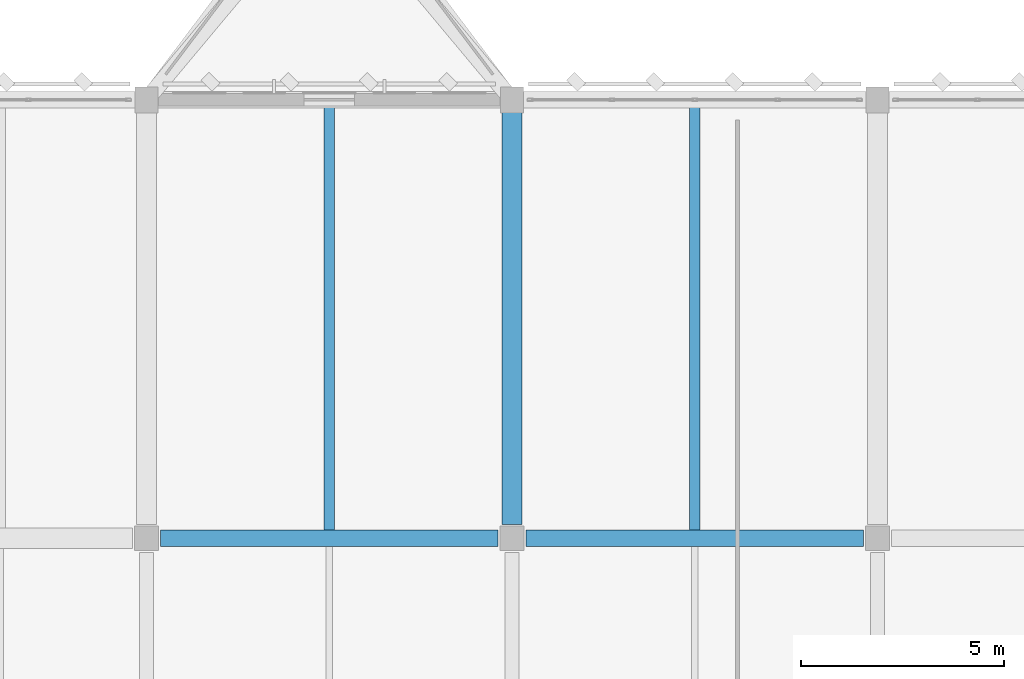
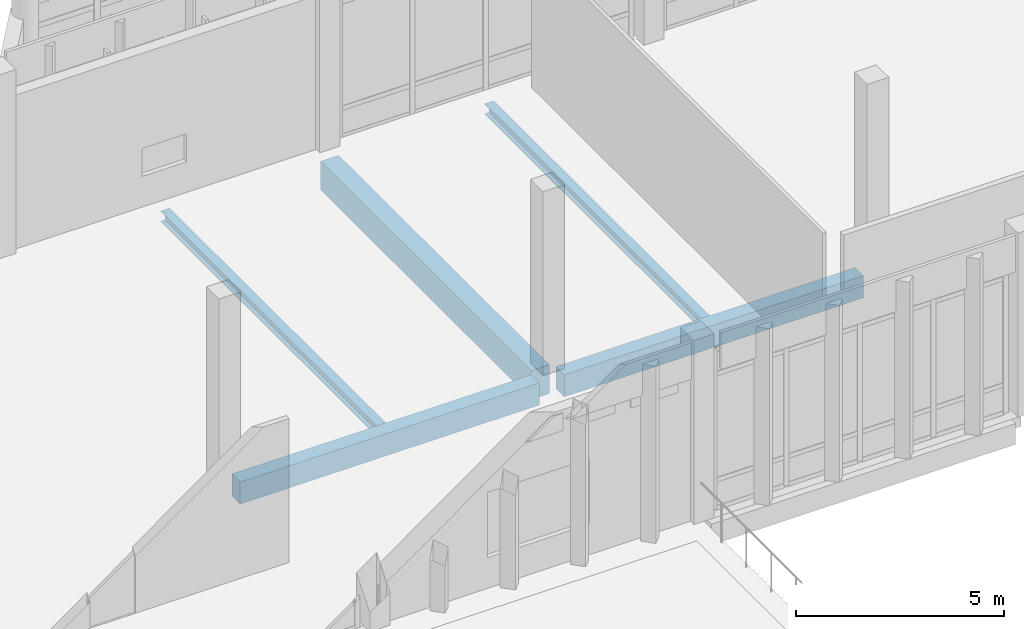
# One storey, part 84 of 180: 5 beams.
"""IFC4 building model written with IfcOpenShell, lengths in metres."""

from ifc_helpers import new_model, si_unit, direction, frame, origin, origin_2d, place, context, subcontext, project, spatial, rectangle, i_section, extrude, material, material_profile, profile_set, type_object, element, save


model = new_model("IFC4")

# Units and contexts
model_context = context("Model", 3, precision=1e-05, world=origin(), true_north=direction((0.0, 1.0)))
body_context = subcontext(model_context, "Body", "Model", "MODEL_VIEW")
ifc_project = project(units=[si_unit("LENGTHUNIT", "METRE"), si_unit("AREAUNIT", "SQUARE_METRE"), si_unit("VOLUMEUNIT", "CUBIC_METRE"), si_unit("PLANEANGLEUNIT", "RADIAN"), si_unit("MASSUNIT", "GRAM", prefix="KILO")], contexts=[model_context])

# Site, building, storey
site_placement = place(None, origin())
site = spatial("IfcSite", under=ifc_project, at=site_placement, CompositionType="ELEMENT")
building_placement = place(site_placement, origin())
building = spatial("IfcBuilding", under=site, at=building_placement, Name="Lusvemor Sports Hall", CompositionType="ELEMENT")
storey_placement = place(building_placement, frame((0.0, 0.0, 5.39990234375)))
storey = spatial("IfcBuildingStorey", under=building, at=storey_placement, Name="L01", CompositionType="ELEMENT", Elevation=5.39990234375)

# Beams
ifc_material_1 = material(Name="Concrete C40/50", Category="concrete")
ifc_material_profile_1 = material_profile(ifc_material_1, rectangle(XDim=0.39990234375, YDim=0.64990234375, at=origin_2d()), Name="RC400x650")
ifc_profile_set_1 = profile_set([ifc_material_profile_1], Name="Concrete C40/50")
beam_type_1 = type_object("IfcBeamType", Name="BEAM_RC_650", PredefinedType="BEAM", material=ifc_profile_set_1)
for number, where, z_axis, x_axis, name in (
    (1, (75.946044921875, 104.39990234375, -0.5849609375), (1.0, 0.0, 0.0), (0.0, 1.0, 0.0), "Beam L01 P:8-9"),
    (2, (84.946044921875, 104.39990234375, -0.5849609375), (1.0, 0.0, 0.0), (0.0, 1.0, 0.0), "Beam L01 P:9-10"),
):
    element("IfcBeam", number, at=place(storey_placement, frame(where, z_axis=z_axis, x_axis=x_axis)), inside=storey, type_object=beam_type_1, Name=name, PredefinedType="BEAM", context=body_context, shape_type="SweptSolid", body=[
        extrude(rectangle(XDim=0.39990234375, YDim=0.64990234375, at=origin_2d()), origin(), (0.0, 0.0, 1.0), 8.307861328125),
    ])
ifc_material_2 = material(Name="Concrete C40/50", Category="concrete")
ifc_material_profile_2 = material_profile(ifc_material_2, rectangle(XDim=0.5, YDim=0.85009765625, at=origin_2d()), Name="RC500x850")
ifc_profile_set_2 = profile_set([ifc_material_profile_2], Name="Concrete C40/50")
beam_type_2 = type_object("IfcBeamType", Name="GIRD_RC_850", PredefinedType="T_BEAM", material=ifc_profile_set_2)
beam_placement = place(storey_placement, frame((84.60009765625, 104.74609375, -0.684814453125), z_axis=(0.0, 1.0, 0.0), x_axis=(-1.0, 0.0, 0.0)))
element("IfcBeam", 3, at=beam_placement, inside=storey, type_object=beam_type_2, Name="Beam L01 9:P-Q", PredefinedType="T_BEAM", context=body_context, shape_type="SweptSolid", body=[
    extrude(rectangle(XDim=0.5, YDim=0.85009765625, at=origin_2d()), origin(), (0.0, 0.0, 1.0), 10.137939453125),
])
ifc_material_3 = material(Name="Steel S355", Category="steel")
ifc_material_profile_3 = material_profile(ifc_material_3, i_section(OverallWidth=0.25390625, OverallDepth=0.305908203125, WebThickness=0.0087890625, FlangeThickness=0.0146484375, FilletRadius=0.014892578125, at=origin_2d()), Name="W310x79.0")
ifc_profile_set_3 = profile_set([ifc_material_profile_3], Name="Steel S355")
beam_type_3 = type_object("IfcBeamType", Name="JOIST_ST_310H", PredefinedType="JOIST", material=ifc_profile_set_3)
for number, where, z_axis, x_axis, name in (
    (4, (80.10009765625, 104.595947265625, -0.4169921875), (0.0, 1.0, 0.0), (-1.0, 0.0, 0.0), "Secondary Joist L01 8-9/P-Q #1"),
    (5, (89.10009765625, 104.595947265625, -0.4169921875), (0.0, 1.0, 0.0), (-1.0, 0.0, 0.0), "Secondary Joist L01 9-10/P-Q #1"),
):
    element("IfcBeam", number, at=place(storey_placement, frame(where, z_axis=z_axis, x_axis=x_axis)), inside=storey, type_object=beam_type_3, Name=name, PredefinedType="JOIST", context=body_context, shape_type="SweptSolid", body=[
        extrude(i_section(OverallWidth=0.25390625, OverallDepth=0.305908203125, WebThickness=0.0087890625, FlangeThickness=0.0146484375, FilletRadius=0.014892578125, at=origin_2d()), origin(), (0.0, 0.0, 1.0), 10.407958984375),
    ])

save(model, "model.ifc")
